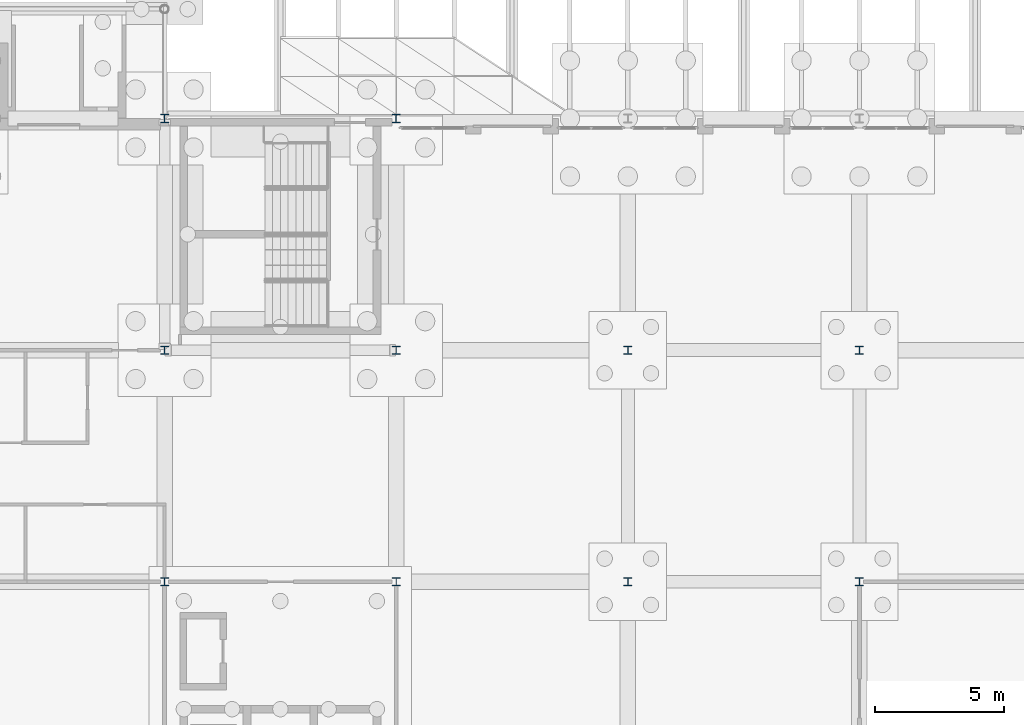
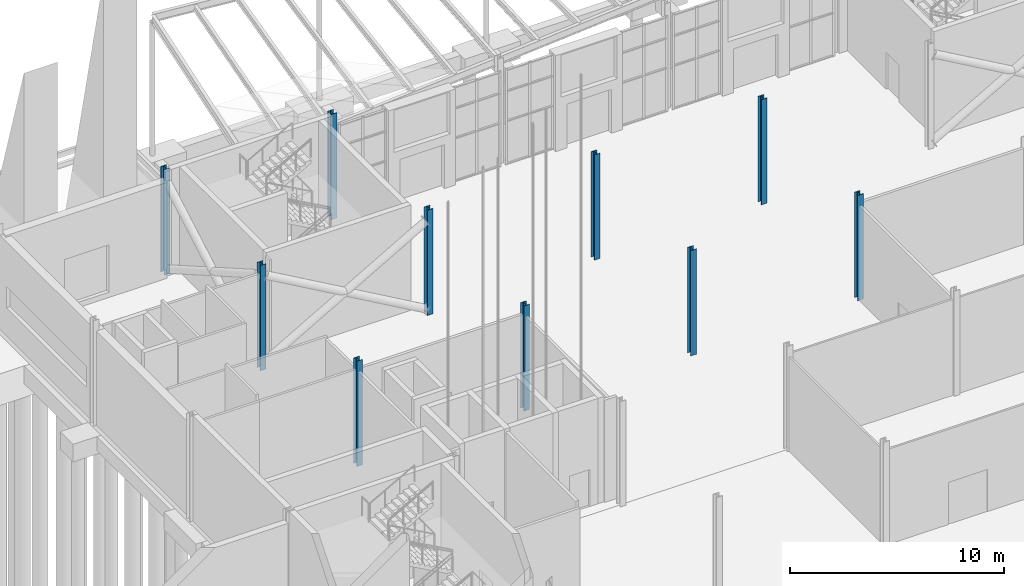
# One storey, part 29 of 139: 10 columns.
"""IFC4 building model written with IfcOpenShell, lengths in metres."""

from ifc_helpers import new_model, si_unit, direction, frame, origin, origin_2d, place, context, subcontext, project, spatial, i_section, extrude, material, material_profile, profile_set, type_object, element, save


model = new_model("IFC4")

# Units and contexts
model_context = context("Model", 3, precision=1e-05, world=origin(), true_north=direction((0.0, 1.0)))
body_context = subcontext(model_context, "Body", "Model", "MODEL_VIEW")
ifc_project = project(units=[si_unit("LENGTHUNIT", "METRE"), si_unit("AREAUNIT", "SQUARE_METRE"), si_unit("VOLUMEUNIT", "CUBIC_METRE"), si_unit("PLANEANGLEUNIT", "RADIAN"), si_unit("MASSUNIT", "GRAM", prefix="KILO")], contexts=[model_context])

# Site, building, storey
site_placement = place(None, origin())
site = spatial("IfcSite", under=ifc_project, at=site_placement, CompositionType="ELEMENT")
building_placement = place(site_placement, origin())
building = spatial("IfcBuilding", under=site, at=building_placement, Name="Shorebreak Coast Museum", CompositionType="ELEMENT")
storey_placement = place(building_placement, origin())
storey = spatial("IfcBuildingStorey", under=building, at=storey_placement, Name="L00", CompositionType="ELEMENT", Elevation=0.0)

# Columns
ifc_material_1 = material(Name="Steel Grade 300", Category="steel")
ifc_material_profile_1 = material_profile(ifc_material_1, i_section(OverallWidth=0.30908203125, OverallDepth=0.320556640625, WebThickness=0.013916015625, FlangeThickness=0.021728515625, FilletRadius=0.0166015625, at=origin_2d()), Name="310UC137")
ifc_profile_set_1 = profile_set([ifc_material_profile_1], Name="Steel Grade 300")
column_type_1 = type_object("IfcColumnType", Name="Column 310UC137", PredefinedType="COLUMN", material=ifc_profile_set_1)
for number, where, z_axis, x_axis, name in (
    (1, (63.0, 99.0, 0.0), (0.0, 0.0, 1.0), (1.0, 0.0, 0.0), "Column L00 8M"),
    (2, (72.0, 99.0, 0.0), (0.0, 0.0, 1.0), (1.0, 0.0, 0.0), "Column L00 9M"),
    (3, (81.0, 99.0, 0.0), (0.0, 0.0, 1.0), (1.0, 0.0, 0.0), "Column L00 10M"),
    (4, (90.0, 99.0, 0.0), (0.0, 0.0, 1.0), (1.0, 0.0, 0.0), "Column L00 11M"),
    (5, (63.0, 108.0, 0.0), (0.0, 0.0, 1.0), (1.0, 0.0, 0.0), "Column L00 8N"),
    (6, (72.0, 108.0, 0.0), (0.0, 0.0, 1.0), (1.0, 0.0, 0.0), "Column L00 9N"),
    (7, (81.0, 108.0, 0.0), (0.0, 0.0, 1.0), (1.0, 0.0, 0.0), "Column L00 10N"),
    (8, (90.0, 108.0, 0.0), (0.0, 0.0, 1.0), (1.0, 0.0, 0.0), "Column L00 11N"),
):
    element("IfcColumn", number, at=place(storey_placement, frame(where, z_axis=z_axis, x_axis=x_axis)), inside=storey, type_object=column_type_1, Name=name, PredefinedType="COLUMN", context=body_context, shape_type="SweptSolid", body=[
        extrude(i_section(OverallWidth=0.30908203125, OverallDepth=0.320556640625, WebThickness=0.013916015625, FlangeThickness=0.021728515625, FilletRadius=0.0166015625, at=origin_2d()), origin(), (0.0, 0.0, 1.0), 6.0),
    ])
ifc_material_2 = material(Name="Steel Grade 300", Category="steel")
ifc_material_profile_2 = material_profile(ifc_material_2, i_section(OverallWidth=0.31103515625, OverallDepth=0.3271484375, WebThickness=0.015625, FlangeThickness=0.02490234375, FilletRadius=0.0166015625, at=origin_2d()), Name="310UC158")
ifc_profile_set_2 = profile_set([ifc_material_profile_2], Name="Steel Grade 300")
column_type_2 = type_object("IfcColumnType", Name="Column 310UC158", PredefinedType="COLUMN", material=ifc_profile_set_2)
for number, where, z_axis, x_axis, name in (
    (9, (63.0, 117.0, 0.0), (0.0, 0.0, 1.0), (1.0, 0.0, 0.0), "Column L00 8P"),
    (10, (72.0, 117.0, 0.0), (0.0, 0.0, 1.0), (1.0, 0.0, 0.0), "Column L00 9P"),
):
    element("IfcColumn", number, at=place(storey_placement, frame(where, z_axis=z_axis, x_axis=x_axis)), inside=storey, type_object=column_type_2, Name=name, PredefinedType="COLUMN", context=body_context, shape_type="SweptSolid", body=[
        extrude(i_section(OverallWidth=0.31103515625, OverallDepth=0.3271484375, WebThickness=0.015625, FlangeThickness=0.02490234375, FilletRadius=0.0166015625, at=origin_2d()), origin(), (0.0, 0.0, 1.0), 6.0),
    ])

save(model, "model.ifc")
